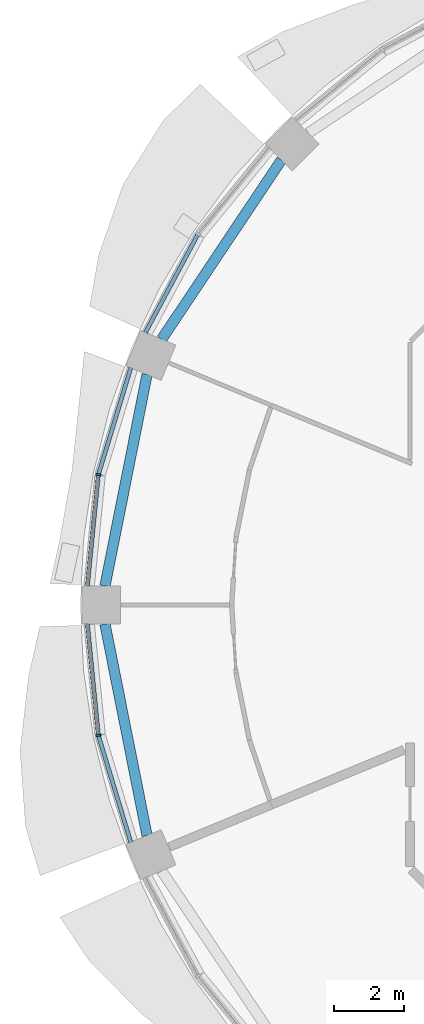
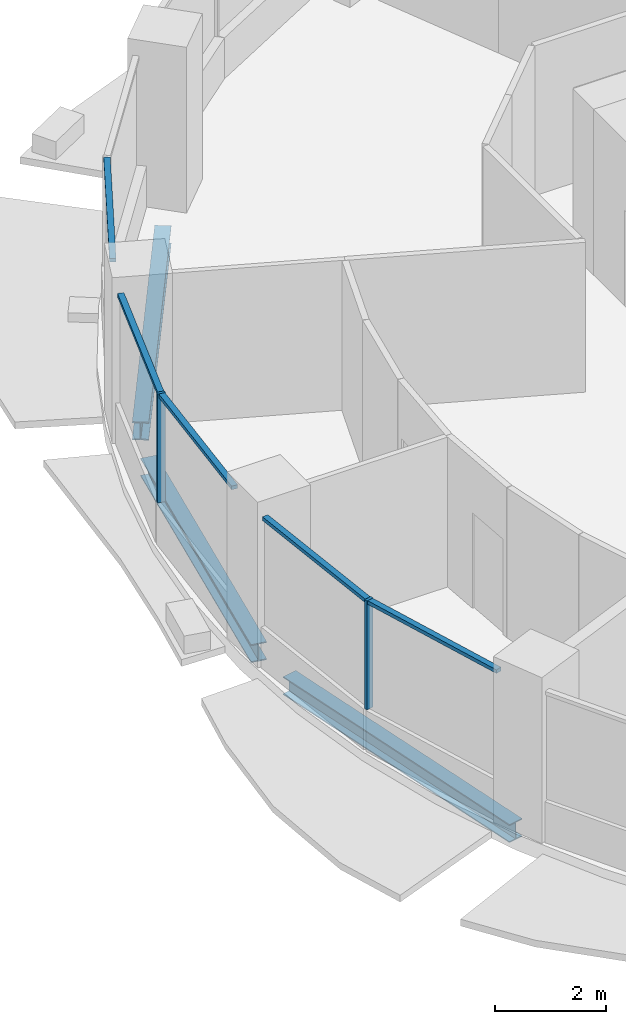
# One storey, part 3 of 14: 7 members, 3 beams, 3 elements without a shape of their own.
"""IFC4 building model written with IfcOpenShell, lengths in metres."""

from ifc_helpers import new_model, si_unit, direction, frame, origin, origin_2d, place, context, subcontext, project, spatial, rectangle, i_section, extrude, material, material_profile, profile_set, type_object, element, aggregate, save


model = new_model("IFC4")

# Units and contexts
model_context = context("Model", 3, precision=1e-05, world=origin(), true_north=direction((0.0, 1.0)))
body_context = subcontext(model_context, "Body", "Model", "MODEL_VIEW")
ifc_project = project(units=[si_unit("LENGTHUNIT", "METRE"), si_unit("AREAUNIT", "SQUARE_METRE"), si_unit("VOLUMEUNIT", "CUBIC_METRE"), si_unit("PLANEANGLEUNIT", "RADIAN"), si_unit("MASSUNIT", "GRAM", prefix="KILO")], contexts=[model_context])

# Site, building, storey
site_placement = place(None, origin())
site = spatial("IfcSite", under=ifc_project, at=site_placement, CompositionType="ELEMENT")
building_placement = place(site_placement, origin())
building = spatial("IfcBuilding", under=site, at=building_placement, Name="Polderwave Tower", CompositionType="ELEMENT")
storey_placement = place(building_placement, frame((0.0, 0.0, 91.0)))
storey = spatial("IfcBuildingStorey", under=building, at=storey_placement, Name="L23", CompositionType="ELEMENT", Elevation=91.0)

# Curtain wall, member
ifc_material_1 = material(Name="Aluminium 6063-T6 and glass", Category="aluminium")
curtain_wall_type = type_object("IfcCurtainWallType", Name="Growing floor ribbon glazing wall", PredefinedType="NOTDEFINED", material=ifc_material_1)
curtain_wall_1_placement = place(storey_placement, origin())
curtain_wall_1 = element("IfcCurtainWall", 1, at=curtain_wall_1_placement, inside=storey, type_object=curtain_wall_type, Name="CW2 L23 07", PredefinedType="NOTDEFINED")
ifc_material_2 = material(Name="Aluminium 6063-T6", Category="aluminium")
ifc_material_profile_1 = material_profile(ifc_material_2, rectangle(XDim=0.14990234375, YDim=0.06005859375, at=origin_2d()), Name="AL 60x150")
ifc_profile_set_1 = profile_set([ifc_material_profile_1], Name="Aluminium 6063-T6")
member_type_1 = type_object("IfcMemberType", Name="Growing floor ribbon glazing mullion 60x150", PredefinedType="MULLION", material=ifc_profile_set_1)
member_1_placement = place(storey_placement, frame((-18.8310546875, 3.74609375, 0.89990234375), z_axis=(0.0, 0.0, 1.0), x_axis=(0.980783918392, -0.195097169184, 0.0)))
member_1 = element("IfcMember", 2, at=member_1_placement, type_object=member_type_1, Name="CW2 mullion 1", PredefinedType="MULLION", context=body_context, shape_type="SweptSolid", body=[
    extrude(rectangle(XDim=0.14990234375, YDim=0.06005859375, at=origin_2d()), origin(), (0.0, 0.0, 1.0), 2.400146484375),
])

curtain_wall_2_placement = place(storey_placement, origin())
curtain_wall_2 = element("IfcCurtainWall", 3, at=curtain_wall_2_placement, inside=storey, type_object=curtain_wall_type, Name="CW2 L23 08", PredefinedType="NOTDEFINED")
member_2_placement = place(storey_placement, frame((-18.8310546875, -3.74609375, 0.89990234375), z_axis=(0.0, 0.0, 1.0), x_axis=(0.980783918392, 0.195097169184, 0.0)))
member_2 = element("IfcMember", 4, at=member_2_placement, type_object=member_type_1, Name="CW2 mullion 1", PredefinedType="MULLION", context=body_context, shape_type="SweptSolid", body=[
    extrude(rectangle(XDim=0.14990234375, YDim=0.06005859375, at=origin_2d()), origin(), (0.0, 0.0, 1.0), 2.400146484375),
])

curtain_wall_3_placement = place(storey_placement, origin())
curtain_wall_3 = element("IfcCurtainWall", 5, at=curtain_wall_3_placement, inside=storey, type_object=curtain_wall_type, Name="CW2 L23 06", PredefinedType="NOTDEFINED")
ifc_material_profile_2 = material_profile(ifc_material_2, rectangle(XDim=0.1201171875, YDim=0.080078125, at=origin_2d()), Name="AL 80x120")
ifc_profile_set_2 = profile_set([ifc_material_profile_2], Name="Aluminium 6063-T6")
member_type_2 = type_object("IfcMemberType", Name="Growing floor ribbon glazing transom 80x120", PredefinedType="USERDEFINED", material=ifc_profile_set_2)
member_3_placement = place(storey_placement, frame((-15.97802734375, 10.640380859375, 3.260009765625), z_axis=(-0.471512085827, -0.881859599323, 0.0), x_axis=(0.881859599323, -0.471512085827, 0.0)))
member_3 = element("IfcMember", 6, at=member_3_placement, type_object=member_type_2, Name="CW2 transom 2", ObjectType="TRANSOM", PredefinedType="USERDEFINED", context=body_context, shape_type="SweptSolid", body=[
    extrude(rectangle(XDim=0.1201171875, YDim=0.080078125, at=origin_2d()), origin(), (0.0, 0.0, 1.0), 3.18115234375),
])
aggregate(curtain_wall_3, [member_3])

# Member
member_4_placement = place(storey_placement, frame((-17.89892578125, 6.819091796875, 3.260009765625), z_axis=(-0.290233155766, -0.95695596309, 0.0), x_axis=(0.95695596309, -0.290233155766, 0.0)))
member_4 = element("IfcMember", 7, at=member_4_placement, type_object=member_type_2, Name="CW2 transom 1", ObjectType="TRANSOM", PredefinedType="USERDEFINED", context=body_context, shape_type="SweptSolid", body=[
    extrude(rectangle(XDim=0.1201171875, YDim=0.080078125, at=origin_2d()), origin(), (0.0, 0.0, 1.0), 3.181396484375),
])

member_5_placement = place(storey_placement, frame((-18.833984375, 3.716064453125, 3.260009765625), z_axis=(-0.098075167681, -0.995179009769, 0.0), x_axis=(0.995179009769, -0.098075167681, 0.0)))
member_5 = element("IfcMember", 8, at=member_5_placement, type_object=member_type_2, Name="CW2 transom 2", ObjectType="TRANSOM", PredefinedType="USERDEFINED", context=body_context, shape_type="SweptSolid", body=[
    extrude(rectangle(XDim=0.1201171875, YDim=0.080078125, at=origin_2d()), origin(), (0.0, 0.0, 1.0), 3.181396484375),
])

aggregate(curtain_wall_1, [member_1, member_4, member_5])

member_6_placement = place(storey_placement, frame((-19.14599609375, -0.550048828125, 3.260009765625), z_axis=(0.098075167681, -0.995179009769, 0.0), x_axis=(0.995179009769, 0.098075167681, 0.0)))
member_6 = element("IfcMember", 9, at=member_6_placement, type_object=member_type_2, Name="CW2 transom 1", ObjectType="TRANSOM", PredefinedType="USERDEFINED", context=body_context, shape_type="SweptSolid", body=[
    extrude(rectangle(XDim=0.1201171875, YDim=0.080078125, at=origin_2d()), origin(), (0.0, 0.0, 1.0), 3.181396484375),
])

member_7_placement = place(storey_placement, frame((-18.822265625, -3.774658203125, 3.260009765625), z_axis=(0.290233155766, -0.95695596309, 0.0), x_axis=(0.95695596309, 0.290233155766, 0.0)))
member_7 = element("IfcMember", 10, at=member_7_placement, type_object=member_type_2, Name="CW2 transom 2", ObjectType="TRANSOM", PredefinedType="USERDEFINED", context=body_context, shape_type="SweptSolid", body=[
    extrude(rectangle(XDim=0.1201171875, YDim=0.080078125, at=origin_2d()), origin(), (0.0, 0.0, 1.0), 3.181396484375),
])

aggregate(curtain_wall_2, [member_2, member_6, member_7])

# Beams
ifc_material_3 = material(Name="Steel S355", Category="steel")
ifc_material_profile_3 = material_profile(ifc_material_3, i_section(OverallWidth=0.300048828125, OverallDepth=0.39990234375, WebThickness=0.013427734375, FlangeThickness=0.02392578125, at=origin_2d()), Name="HE 400 B")
ifc_profile_set_3 = profile_set([ifc_material_profile_3], Name="Steel S355")
beam_type = type_object("IfcBeamType", Name="RING BEAM HE 400 B", PredefinedType="BEAM", material=ifc_profile_set_3)
for number, where, z_axis, x_axis, name in (
    (11, (-13.56982421875, 12.7919921875, -0.550048828125), (-0.555573051966, -0.831467728736, 0.0), (0.831467728736, -0.555573051966, 0.0), "ST-RB-L23-06"),
    (12, (-17.43212890625, 6.625244140625, -0.550048828125), (-0.195100355977, -0.980783284471, 0.0), (0.980783284471, -0.195100355977, 0.0), "ST-RB-L23-07"),
    (13, (-18.640625, -0.550048828125, -0.550048828125), (0.195100355977, -0.980783284471, 0.0), (0.980783284471, 0.195100355977, 0.0), "ST-RB-L23-08"),
):
    element("IfcBeam", number, at=place(storey_placement, frame(where, z_axis=z_axis, x_axis=x_axis)), inside=storey, type_object=beam_type, Name=name, PredefinedType="BEAM", context=body_context, shape_type="SweptSolid", body=[
        extrude(i_section(OverallWidth=0.300048828125, OverallDepth=0.39990234375, WebThickness=0.013427734375, FlangeThickness=0.02392578125, at=origin_2d()), origin(), (0.0, 0.0, 1.0), 6.1943359375),
    ])

save(model, "model.ifc")
